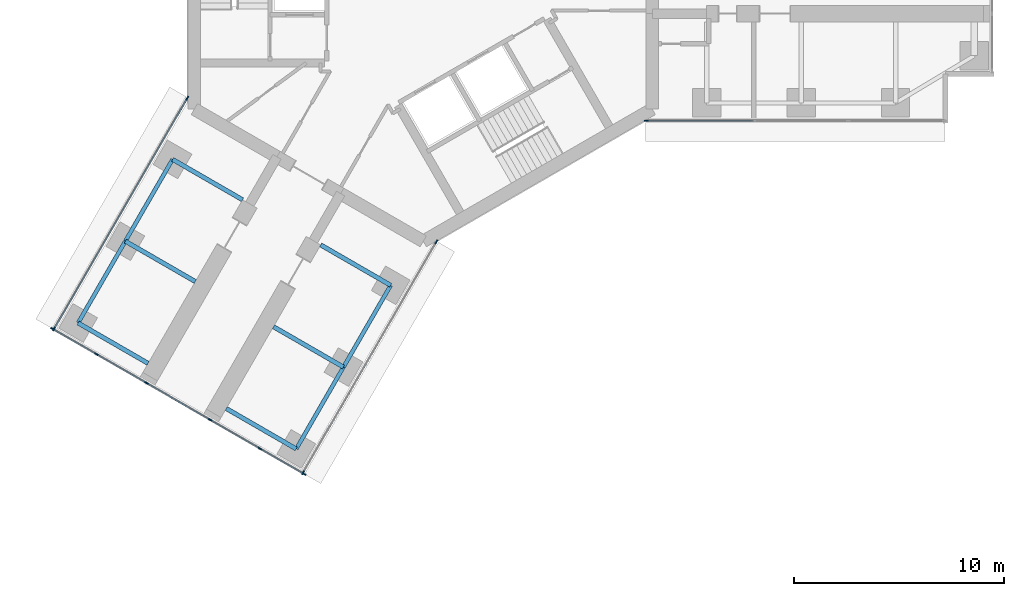
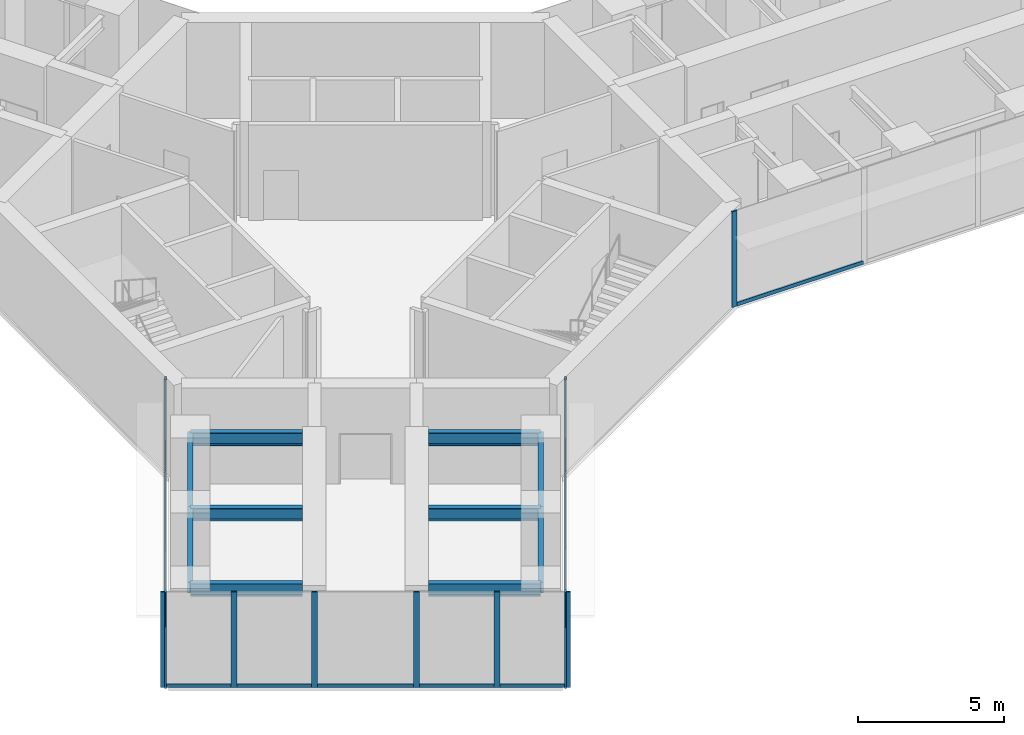
# One storey, part 2 of 21: 19 members, 10 beams, 4 elements without a shape of their own.
"""IFC4 building model written with IfcOpenShell, lengths in metres."""

from ifc_helpers import new_model, si_unit, direction, frame, origin, origin_2d, place, context, subcontext, project, spatial, rectangle, i_section, extrude, material, material_profile, profile_set, type_object, element, aggregate, save


model = new_model("IFC4")

# Units and contexts
model_context = context("Model", 3, precision=1e-05, world=origin(), true_north=direction((0.0, 1.0)))
body_context = subcontext(model_context, "Body", "Model", "MODEL_VIEW")
ifc_project = project(units=[si_unit("LENGTHUNIT", "METRE"), si_unit("AREAUNIT", "SQUARE_METRE"), si_unit("VOLUMEUNIT", "CUBIC_METRE"), si_unit("PLANEANGLEUNIT", "RADIAN"), si_unit("MASSUNIT", "GRAM", prefix="KILO")], contexts=[model_context])

# Site, building, storey
site_placement = place(None, origin())
site = spatial("IfcSite", under=ifc_project, at=site_placement, CompositionType="ELEMENT")
building_placement = place(site_placement, origin())
building = spatial("IfcBuilding", under=site, at=building_placement, Name="Upepo Twin Towers", CompositionType="ELEMENT")
storey_placement = place(building_placement, frame((0.0, 0.0, 101.5)))
storey = spatial("IfcBuildingStorey", under=building, at=storey_placement, Name="L24", CompositionType="ELEMENT", Elevation=101.5)

# Beams
ifc_material_1 = material(Name="Steel S355", Category="steel")
ifc_material_profile_1 = material_profile(ifc_material_1, i_section(OverallWidth=0.1904296875, OverallDepth=0.45703125, WebThickness=0.009033203125, FlangeThickness=0.014404296875, FilletRadius=0.01025390625, at=origin_2d()), Name="UB 457x191x74")
ifc_profile_set_1 = profile_set([ifc_material_profile_1], Name="Steel S355")
beam_type_1 = type_object("IfcBeamType", Name="Beam UB 457x191x74", PredefinedType="BEAM", material=ifc_profile_set_1)
beam_1_placement = place(storey_placement, frame((-1.553955078125, -14.69140625, 3.571533203125), z_axis=(-0.500013631625, -0.866017533419, 0.0), x_axis=(0.866017533419, -0.500013631625, 0.0)))
element("IfcBeam", 1, at=beam_1_placement, inside=storey, type_object=beam_type_1, Name="T1 edge beam CL 13.5-18.0", PredefinedType="BEAM", context=body_context, shape_type="SweptSolid", body=[
    extrude(i_section(OverallWidth=0.1904296875, OverallDepth=0.45703125, WebThickness=0.009033203125, FlangeThickness=0.014404296875, FilletRadius=0.01025390625, at=origin_2d()), origin(), (0.0, 0.0, 1.0), 4.499755859375),
])
beam_2_placement = place(storey_placement, frame((-3.803955078125, -18.58837890625, 3.571533203125), z_axis=(-0.499990139034, -0.866031096941, 0.0), x_axis=(0.866031096941, -0.499990139034, 0.0)))
element("IfcBeam", 2, at=beam_2_placement, inside=storey, type_object=beam_type_1, Name="T1 edge beam CL 18.0-22.5", PredefinedType="BEAM", context=body_context, shape_type="SweptSolid", body=[
    extrude(i_section(OverallWidth=0.1904296875, OverallDepth=0.45703125, WebThickness=0.009033203125, FlangeThickness=0.014404296875, FilletRadius=0.01025390625, at=origin_2d()), origin(), (0.0, 0.0, 1.0), 4.5),
])
beam_3_placement = place(storey_placement, frame((-11.946044921875, -8.69140625, 3.571533203125), z_axis=(-0.500013631625, -0.866017533419, 0.0), x_axis=(0.866017533419, -0.500013631625, 0.0)))
element("IfcBeam", 3, at=beam_3_placement, inside=storey, type_object=beam_type_1, Name="T1 edge beam CR 13.5-18.0", PredefinedType="BEAM", context=body_context, shape_type="SweptSolid", body=[
    extrude(i_section(OverallWidth=0.1904296875, OverallDepth=0.45703125, WebThickness=0.009033203125, FlangeThickness=0.014404296875, FilletRadius=0.01025390625, at=origin_2d()), origin(), (0.0, 0.0, 1.0), 4.499755859375),
])
beam_4_placement = place(storey_placement, frame((-14.196044921875, -12.58837890625, 3.571533203125), z_axis=(-0.499990139034, -0.866031096941, 0.0), x_axis=(0.866031096941, -0.499990139034, 0.0)))
element("IfcBeam", 4, at=beam_4_placement, inside=storey, type_object=beam_type_1, Name="T1 edge beam CR 18.0-22.5", PredefinedType="BEAM", context=body_context, shape_type="SweptSolid", body=[
    extrude(i_section(OverallWidth=0.1904296875, OverallDepth=0.45703125, WebThickness=0.009033203125, FlangeThickness=0.014404296875, FilletRadius=0.01025390625, at=origin_2d()), origin(), (0.0, 0.0, 1.0), 4.5),
])
ifc_material_2 = material(Name="Steel S355", Category="steel")
ifc_material_profile_2 = material_profile(ifc_material_2, i_section(OverallWidth=0.209228515625, OverallDepth=0.533203125, WebThickness=0.010009765625, FlangeThickness=0.015625, FilletRadius=0.0126953125, at=origin_2d()), Name="UB 533x210x92")
ifc_profile_set_2 = profile_set([ifc_material_profile_2], Name="Steel S355")
beam_type_2 = type_object("IfcBeamType", Name="Beam UB 533x210x92", PredefinedType="BEAM", material=ifc_profile_set_2)
beam_5_placement = place(storey_placement, frame((-1.553955078125, -14.69140625, 3.533447265625), z_axis=(-0.866006051527, 0.500033517596, 0.0), x_axis=(-0.500033517596, -0.866006051527, 0.0)))
element("IfcBeam", 5, at=beam_5_placement, inside=storey, type_object=beam_type_2, Name="T1 girder CL at 13.5", PredefinedType="BEAM", context=body_context, shape_type="SweptSolid", body=[
    extrude(i_section(OverallWidth=0.209228515625, OverallDepth=0.533203125, WebThickness=0.010009765625, FlangeThickness=0.015625, FilletRadius=0.0126953125, at=origin_2d()), origin(), (0.0, 0.0, 1.0), 3.849853515625),
])
beam_6_placement = place(storey_placement, frame((-3.803955078125, -18.58837890625, 3.533447265625), z_axis=(-0.866033512162, 0.499985955615, 0.0), x_axis=(-0.499985955615, -0.866033512162, 0.0)))
element("IfcBeam", 6, at=beam_6_placement, inside=storey, type_object=beam_type_2, Name="T1 girder CL at 18.0", PredefinedType="BEAM", context=body_context, shape_type="SweptSolid", body=[
    extrude(i_section(OverallWidth=0.209228515625, OverallDepth=0.533203125, WebThickness=0.010009765625, FlangeThickness=0.015625, FilletRadius=0.0126953125, at=origin_2d()), origin(), (0.0, 0.0, 1.0), 3.849609375),
])
for number, where, z_axis, x_axis, name in (
    (7, (-6.053955078125, -22.485595703125, 3.533447265625), (-0.866006051527, 0.500033517596, 0.0), (-0.500033517596, -0.866006051527, 0.0), "T1 girder CL at 22.5"),
    (8, (-11.946044921875, -8.69140625, 3.533447265625), (0.866006051527, -0.500033517596, 0.0), (0.500033517596, 0.866006051527, 0.0), "T1 girder CR at 13.5"),
    (9, (-14.196044921875, -12.58837890625, 3.533447265625), (0.866006051527, -0.500033517596, 0.0), (0.500033517596, 0.866006051527, 0.0), "T1 girder CR at 18.0"),
    (10, (-16.446044921875, -16.485595703125, 3.533447265625), (0.866006051527, -0.500033517596, 0.0), (0.500033517596, 0.866006051527, 0.0), "T1 girder CR at 22.5"),
):
    element("IfcBeam", number, at=place(storey_placement, frame(where, z_axis=z_axis, x_axis=x_axis)), inside=storey, type_object=beam_type_2, Name=name, PredefinedType="BEAM", context=body_context, shape_type="SweptSolid", body=[
        extrude(i_section(OverallWidth=0.209228515625, OverallDepth=0.533203125, WebThickness=0.010009765625, FlangeThickness=0.015625, FilletRadius=0.0126953125, at=origin_2d()), origin(), (0.0, 0.0, 1.0), 3.849853515625),
    ])

# Curtain wall, member
ifc_material_3 = material(Name="Aluminium and fritted glass", Category="aluminium")
curtain_wall_type = type_object("IfcCurtainWallType", Name="Tower curtain wall TW2, fritted glass", PredefinedType="NOTDEFINED", material=ifc_material_3)
curtain_wall_1_placement = place(storey_placement, origin())
curtain_wall_1 = element("IfcCurtainWall", 11, at=curtain_wall_1_placement, inside=storey, type_object=curtain_wall_type, Name="T1 L24 wing A flank R curtain wall", PredefinedType="NOTDEFINED")
ifc_material_4 = material(Name="Aluminium mullion", Category="aluminium")
ifc_material_profile_3 = material_profile(ifc_material_4, rectangle(XDim=0.06494140625, YDim=0.199951171875, at=origin_2d()), Name="MULLION 65x200")
ifc_profile_set_3 = profile_set([ifc_material_profile_3], Name="Aluminium mullion")
member_type_1 = type_object("IfcMemberType", Name="Mullion 65x200 TW2", PredefinedType="MULLION", material=ifc_profile_set_3)
member_1_placement = place(storey_placement, frame((10.61962890625, -6.85009765625, 0.0), z_axis=(0.0, 0.0, 1.0), x_axis=(0.0, -1.0, 0.0)))
member_1 = element("IfcMember", 12, at=member_1_placement, type_object=member_type_1, Name="T1 L24 wing A flank R curtain wall mullion 4", PredefinedType="MULLION", context=body_context, shape_type="SweptSolid", body=[
    extrude(rectangle(XDim=0.06494140625, YDim=0.199951171875, at=origin_2d()), origin(), (0.0, 0.0, 1.0), 4.0),
])

# Curtain wall, members
curtain_wall_2_placement = place(storey_placement, origin())
curtain_wall_2 = element("IfcCurtainWall", 13, at=curtain_wall_2_placement, inside=storey, type_object=curtain_wall_type, Name="T1 L24 wing C flank L curtain wall", PredefinedType="NOTDEFINED")
member_2_placement = place(storey_placement, frame((0.62255859375, -12.621826171875, 0.0), z_axis=(0.0, 0.0, 1.0), x_axis=(0.866025399212, -0.50000000792, 0.0)))
member_2 = element("IfcMember", 14, at=member_2_placement, type_object=member_type_1, Name="T1 L24 wing C flank L curtain wall mullion 1", PredefinedType="MULLION", context=body_context, shape_type="SweptSolid", body=[
    extrude(rectangle(XDim=0.06494140625, YDim=0.199951171875, at=origin_2d()), origin(), (0.0, 0.0, 1.0), 4.0),
])
member_3_placement = place(storey_placement, frame((-5.7265625, -23.61865234375, 0.0), z_axis=(0.0, 0.0, 1.0), x_axis=(0.866025399212, -0.50000000792, 0.0)))
member_3 = element("IfcMember", 15, at=member_3_placement, type_object=member_type_1, Name="T1 L24 wing C flank L curtain wall mullion 2", PredefinedType="MULLION", context=body_context, shape_type="SweptSolid", body=[
    extrude(rectangle(XDim=0.06494140625, YDim=0.199951171875, at=origin_2d()), origin(), (0.0, 0.0, 1.0), 4.0),
])

curtain_wall_3_placement = place(storey_placement, origin())
curtain_wall_3 = element("IfcCurtainWall", 16, at=curtain_wall_3_placement, inside=storey, type_object=curtain_wall_type, Name="T1 L24 wing C flank R curtain wall", PredefinedType="NOTDEFINED")
member_4_placement = place(storey_placement, frame((-17.591064453125, -16.7685546875, 0.0), z_axis=(0.0, 0.0, 1.0), x_axis=(-0.866025399212, 0.50000000792, 0.0)))
member_4 = element("IfcMember", 17, at=member_4_placement, type_object=member_type_1, Name="T1 L24 wing C flank R curtain wall mullion 1", PredefinedType="MULLION", context=body_context, shape_type="SweptSolid", body=[
    extrude(rectangle(XDim=0.06494140625, YDim=0.199951171875, at=origin_2d()), origin(), (0.0, 0.0, 1.0), 4.0),
])
member_5_placement = place(storey_placement, frame((-11.2421875, -5.77197265625, 0.0), z_axis=(0.0, 0.0, 1.0), x_axis=(-0.866025399212, 0.50000000792, 0.0)))
member_5 = element("IfcMember", 18, at=member_5_placement, type_object=member_type_1, Name="T1 L24 wing C flank R curtain wall mullion 2", PredefinedType="MULLION", context=body_context, shape_type="SweptSolid", body=[
    extrude(rectangle(XDim=0.06494140625, YDim=0.199951171875, at=origin_2d()), origin(), (0.0, 0.0, 1.0), 4.0),
])

curtain_wall_4_placement = place(storey_placement, origin())
curtain_wall_4 = element("IfcCurtainWall", 19, at=curtain_wall_4_placement, inside=storey, type_object=curtain_wall_type, Name="T1 L24 wing C nose curtain wall", PredefinedType="NOTDEFINED")
member_6_placement = place(storey_placement, frame((-17.665771484375, -16.762939453125, 0.0), z_axis=(0.0, 0.0, 1.0), x_axis=(0.499999972355, 0.866025419745, 0.0)))
member_6 = element("IfcMember", 20, at=member_6_placement, type_object=member_type_1, Name="T1 L24 wing C nose curtain wall mullion 1", PredefinedType="MULLION", context=body_context, shape_type="SweptSolid", body=[
    extrude(rectangle(XDim=0.06494140625, YDim=0.199951171875, at=origin_2d()), origin(), (0.0, 0.0, 1.0), 4.0),
])
member_7_placement = place(storey_placement, frame((-15.572021484375, -17.9716796875, 0.0), z_axis=(0.0, 0.0, 1.0), x_axis=(0.499999972355, 0.866025419745, 0.0)))
member_7 = element("IfcMember", 21, at=member_7_placement, type_object=member_type_1, Name="T1 L24 wing C nose curtain wall mullion 2", PredefinedType="MULLION", context=body_context, shape_type="SweptSolid", body=[
    extrude(rectangle(XDim=0.06494140625, YDim=0.199951171875, at=origin_2d()), origin(), (0.0, 0.0, 1.0), 4.0),
])
member_8_placement = place(storey_placement, frame((-13.1904296875, -19.3466796875, 0.0), z_axis=(0.0, 0.0, 1.0), x_axis=(0.499999972355, 0.866025419745, 0.0)))
member_8 = element("IfcMember", 22, at=member_8_placement, type_object=member_type_1, Name="T1 L24 wing C nose curtain wall mullion 3", PredefinedType="MULLION", context=body_context, shape_type="SweptSolid", body=[
    extrude(rectangle(XDim=0.06494140625, YDim=0.199951171875, at=origin_2d()), origin(), (0.0, 0.0, 1.0), 4.0),
])
member_9_placement = place(storey_placement, frame((-10.159423828125, -21.0966796875, 0.0), z_axis=(0.0, 0.0, 1.0), x_axis=(0.499999972355, 0.866025419745, 0.0)))
member_9 = element("IfcMember", 23, at=member_9_placement, type_object=member_type_1, Name="T1 L24 wing C nose curtain wall mullion 4", PredefinedType="MULLION", context=body_context, shape_type="SweptSolid", body=[
    extrude(rectangle(XDim=0.06494140625, YDim=0.199951171875, at=origin_2d()), origin(), (0.0, 0.0, 1.0), 4.0),
])
member_10_placement = place(storey_placement, frame((-7.77783203125, -22.4716796875, 0.0), z_axis=(0.0, 0.0, 1.0), x_axis=(0.499999972355, 0.866025419745, 0.0)))
member_10 = element("IfcMember", 24, at=member_10_placement, type_object=member_type_1, Name="T1 L24 wing C nose curtain wall mullion 5", PredefinedType="MULLION", context=body_context, shape_type="SweptSolid", body=[
    extrude(rectangle(XDim=0.06494140625, YDim=0.199951171875, at=origin_2d()), origin(), (0.0, 0.0, 1.0), 4.0),
])
member_11_placement = place(storey_placement, frame((-5.684326171875, -23.680419921875, 0.0), z_axis=(0.0, 0.0, 1.0), x_axis=(0.499999972355, 0.866025419745, 0.0)))
member_11 = element("IfcMember", 25, at=member_11_placement, type_object=member_type_1, Name="T1 L24 wing C nose curtain wall mullion 6", PredefinedType="MULLION", context=body_context, shape_type="SweptSolid", body=[
    extrude(rectangle(XDim=0.06494140625, YDim=0.199951171875, at=origin_2d()), origin(), (0.0, 0.0, 1.0), 4.0),
])

# Member
ifc_material_5 = material(Name="Aluminium transom", Category="aluminium")
ifc_material_profile_4 = material_profile(ifc_material_5, rectangle(XDim=0.06494140625, YDim=0.14990234375, at=origin_2d()), Name="TRANSOM 65x150")
ifc_profile_set_4 = profile_set([ifc_material_profile_4], Name="Aluminium transom")
member_type_2 = type_object("IfcMemberType", Name="Transom 65x150 TW2", PredefinedType="USERDEFINED", material=ifc_profile_set_4)
member_12_placement = place(storey_placement, frame((15.717529296875, -6.85009765625, 0.074951171875), z_axis=(-1.0, 0.0, 0.0), x_axis=(0.0, -1.0, 0.0)))
member_12 = element("IfcMember", 26, at=member_12_placement, type_object=member_type_2, Name="T1 L24 wing A flank R curtain wall transom 3", ObjectType="TRANSOM", PredefinedType="USERDEFINED", context=body_context, shape_type="SweptSolid", body=[
    extrude(rectangle(XDim=0.06494140625, YDim=0.14990234375, at=origin_2d()), origin(), (0.0, 0.0, 1.0), 5.0654296875),
])

aggregate(curtain_wall_1, [member_1, member_12])

member_13_placement = place(storey_placement, frame((0.606201171875, -12.64990234375, 0.074951171875), z_axis=(-0.499996807431, -0.866027247007, 0.0), x_axis=(0.866027247007, -0.499996807431, 0.0)))
member_13 = element("IfcMember", 27, at=member_13_placement, type_object=member_type_2, Name="T1 L24 wing C flank L curtain wall transom 1", ObjectType="TRANSOM", PredefinedType="USERDEFINED", context=body_context, shape_type="SweptSolid", body=[
    extrude(rectangle(XDim=0.06494140625, YDim=0.14990234375, at=origin_2d()), origin(), (0.0, 0.0, 1.0), 12.6328125),
])

aggregate(curtain_wall_2, [member_2, member_3, member_13])

member_14_placement = place(storey_placement, frame((-17.57470703125, -16.740478515625, 0.074951171875), z_axis=(0.499996807431, 0.866027247007, 0.0), x_axis=(-0.866027247007, 0.499996807431, 0.0)))
member_14 = element("IfcMember", 28, at=member_14_placement, type_object=member_type_2, Name="T1 L24 wing C flank R curtain wall transom 1", ObjectType="TRANSOM", PredefinedType="USERDEFINED", context=body_context, shape_type="SweptSolid", body=[
    extrude(rectangle(XDim=0.06494140625, YDim=0.14990234375, at=origin_2d()), origin(), (0.0, 0.0, 1.0), 12.6328125),
])

aggregate(curtain_wall_3, [member_4, member_5, member_14])

member_15_placement = place(storey_placement, frame((-17.6376953125, -16.779296875, 0.074951171875), z_axis=(0.866069800327, -0.499923095048, 0.0), x_axis=(0.499923095048, 0.866069800327, 0.0)))
member_15 = element("IfcMember", 29, at=member_15_placement, type_object=member_type_2, Name="T1 L24 wing C nose curtain wall transom 1", ObjectType="TRANSOM", PredefinedType="USERDEFINED", context=body_context, shape_type="SweptSolid", body=[
    extrude(rectangle(XDim=0.06494140625, YDim=0.14990234375, at=origin_2d()), origin(), (0.0, 0.0, 1.0), 2.352294921875),
])

member_16_placement = place(storey_placement, frame((-15.5439453125, -17.988037109375, 0.074951171875), z_axis=(0.8660523339, -0.49995335277, 0.0), x_axis=(0.49995335277, 0.8660523339, 0.0)))
member_16 = element("IfcMember", 30, at=member_16_placement, type_object=member_type_2, Name="T1 L24 wing C nose curtain wall transom 2", ObjectType="TRANSOM", PredefinedType="USERDEFINED", context=body_context, shape_type="SweptSolid", body=[
    extrude(rectangle(XDim=0.06494140625, YDim=0.14990234375, at=origin_2d()), origin(), (0.0, 0.0, 1.0), 2.684814453125),
])

member_17_placement = place(storey_placement, frame((-13.162353515625, -19.363037109375, 0.074951171875), z_axis=(0.866056579774, -0.499945997713, 0.0), x_axis=(0.499945997713, 0.866056579774, 0.0)))
member_17 = element("IfcMember", 31, at=member_17_placement, type_object=member_type_2, Name="T1 L24 wing C nose curtain wall transom 3", ObjectType="TRANSOM", PredefinedType="USERDEFINED", context=body_context, shape_type="SweptSolid", body=[
    extrude(rectangle(XDim=0.06494140625, YDim=0.14990234375, at=origin_2d()), origin(), (0.0, 0.0, 1.0), 3.43505859375),
])

member_18_placement = place(storey_placement, frame((-10.13134765625, -21.113037109375, 0.074951171875), z_axis=(0.8660523339, -0.49995335277, 0.0), x_axis=(0.49995335277, 0.8660523339, 0.0)))
member_18 = element("IfcMember", 32, at=member_18_placement, type_object=member_type_2, Name="T1 L24 wing C nose curtain wall transom 4", ObjectType="TRANSOM", PredefinedType="USERDEFINED", context=body_context, shape_type="SweptSolid", body=[
    extrude(rectangle(XDim=0.06494140625, YDim=0.14990234375, at=origin_2d()), origin(), (0.0, 0.0, 1.0), 2.684814453125),
])

member_19_placement = place(storey_placement, frame((-7.749755859375, -22.488037109375, 0.074951171875), z_axis=(0.866024864377, -0.50000093428, 0.0), x_axis=(0.50000093428, 0.866024864377, 0.0)))
member_19 = element("IfcMember", 33, at=member_19_placement, type_object=member_type_2, Name="T1 L24 wing C nose curtain wall transom 5", ObjectType="TRANSOM", PredefinedType="USERDEFINED", context=body_context, shape_type="SweptSolid", body=[
    extrude(rectangle(XDim=0.06494140625, YDim=0.14990234375, at=origin_2d()), origin(), (0.0, 0.0, 1.0), 2.3525390625),
])

aggregate(curtain_wall_4, [member_6, member_7, member_8, member_9, member_10, member_11, member_15, member_16, member_17, member_18, member_19])

save(model, "model.ifc")
